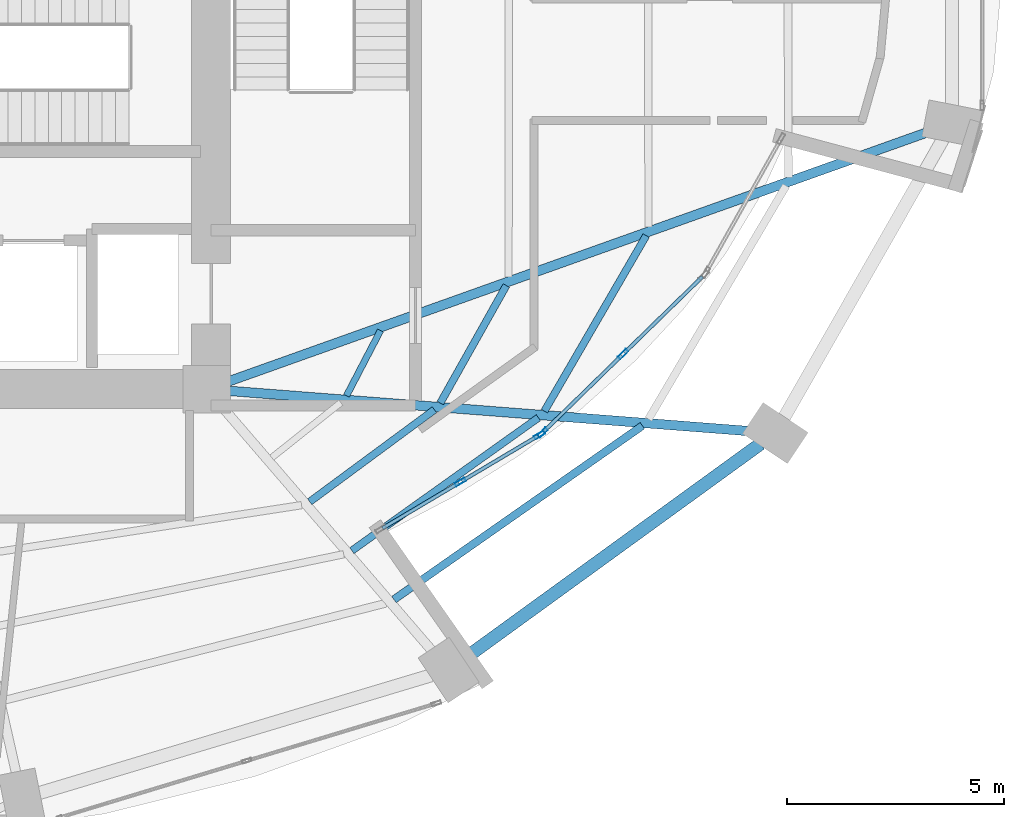
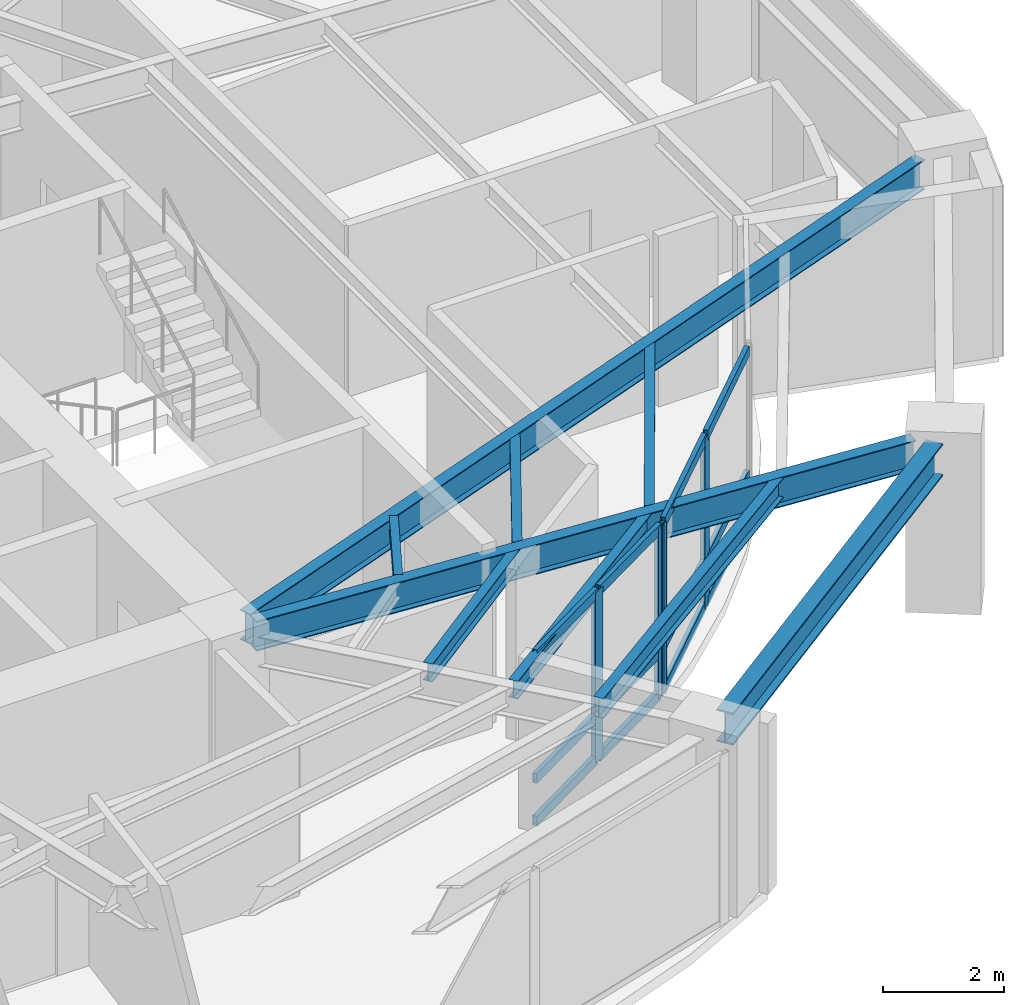
# One storey, part 10 of 24: 16 members, 9 beams, 2 elements without a shape of their own.
"""IFC4 building model written with IfcOpenShell, lengths in metres."""

from ifc_helpers import new_model, si_unit, direction, frame, origin, origin_2d, place, context, subcontext, project, spatial, hollow_rectangle, i_section, extrude, material, layer, layer_set, material_profile, profile_set, type_object, element, aggregate, save


model = new_model("IFC4")

# Units and contexts
model_context = context("Model", 3, precision=1e-05, world=origin(), true_north=direction((0.0, 1.0)))
body_context = subcontext(model_context, "Body", "Model", "MODEL_VIEW")
ifc_project = project(units=[si_unit("LENGTHUNIT", "METRE"), si_unit("AREAUNIT", "SQUARE_METRE"), si_unit("VOLUMEUNIT", "CUBIC_METRE"), si_unit("PLANEANGLEUNIT", "RADIAN"), si_unit("MASSUNIT", "GRAM", prefix="KILO")], contexts=[model_context])

# Site, building, storey
site_placement = place(None, origin())
site = spatial("IfcSite", under=ifc_project, at=site_placement, CompositionType="ELEMENT")
building_placement = place(site_placement, origin())
building = spatial("IfcBuilding", under=site, at=building_placement, Name="Lazwardi Medical Tower", CompositionType="ELEMENT")
storey_placement = place(building_placement, frame((0.0, 0.0, 65.327880859375)))
storey = spatial("IfcBuildingStorey", under=building, at=storey_placement, Name="L16", CompositionType="ELEMENT", Elevation=65.327880859375)

# Beams
ifc_material_1 = material(Name="Steel S355", Category="steel")
ifc_material_profile_1 = material_profile(ifc_material_1, i_section(OverallWidth=0.300048828125, OverallDepth=0.64990234375, WebThickness=0.01611328125, FlangeThickness=0.031005859375, at=origin_2d()), Name="HEB 650")
ifc_profile_set_1 = profile_set([ifc_material_profile_1], Name="Steel S355")
beam_type_1 = type_object("IfcBeamType", Name="BM-RB-Z1", PredefinedType="BEAM", material=ifc_profile_set_1)
beam_1_placement = place(storey_placement, frame((51.52099609375, 14.16259765625, 3.10302734375), z_axis=(0.80939338516, 0.5872668457, 0.0), x_axis=(-0.5872668457, 0.80939338516, 0.0)))
element("IfcBeam", 1, at=beam_1_placement, inside=storey, type_object=beam_type_1, Name="Ring beam RB-02 B02 L16", PredefinedType="BEAM", context=body_context, shape_type="SweptSolid", body=[
    extrude(i_section(OverallWidth=0.300048828125, OverallDepth=0.64990234375, WebThickness=0.01611328125, FlangeThickness=0.031005859375, at=origin_2d()), origin(), (0.0, 0.0, 1.0), 8.47412109375),
])
ifc_material_profile_2 = material_profile(ifc_material_1, i_section(OverallWidth=0.219970703125, OverallDepth=0.60009765625, WebThickness=0.011962890625, FlangeThickness=0.01904296875, at=origin_2d()), Name="IPE 600")
ifc_profile_set_2 = profile_set([ifc_material_profile_2], Name="Steel S355")
beam_type_2 = type_object("IfcBeamType", Name="BM-RG-W1", PredefinedType="BEAM", material=ifc_profile_set_2)
beam_2_placement = place(storey_placement, frame((58.1416015625, 19.430419921875, 3.128173828125), z_axis=(-0.997024241118, 0.077088667283, 0.0), x_axis=(-0.077088667283, -0.997024241118, 0.0)))
element("IfcBeam", 2, at=beam_2_placement, inside=storey, type_object=beam_type_2, Name="Radial girder RG-02 R03 L16", PredefinedType="BEAM", context=body_context, shape_type="SweptSolid", body=[
    extrude(i_section(OverallWidth=0.219970703125, OverallDepth=0.60009765625, WebThickness=0.011962890625, FlangeThickness=0.01904296875, at=origin_2d()), origin(), (0.0, 0.0, 1.0), 12.044189453125),
])
beam_3_placement = place(storey_placement, frame((62.253662109375, 26.33740234375, 3.128173828125), z_axis=(-0.941925080425, -0.335823082688, 0.0), x_axis=(0.335823082688, -0.941925080425, 0.0)))
element("IfcBeam", 3, at=beam_3_placement, inside=storey, type_object=beam_type_2, Name="Radial girder RG-02 R04 L16", PredefinedType="BEAM", context=body_context, shape_type="SweptSolid", body=[
    extrude(i_section(OverallWidth=0.219970703125, OverallDepth=0.60009765625, WebThickness=0.011962890625, FlangeThickness=0.01904296875, at=origin_2d()), origin(), (0.0, 0.0, 1.0), 17.145263671875),
])
ifc_material_profile_3 = material_profile(ifc_material_1, i_section(OverallWidth=0.179931640625, OverallDepth=0.39990234375, WebThickness=0.008544921875, FlangeThickness=0.013427734375, at=origin_2d()), Name="IPE 400")
ifc_profile_set_3 = profile_set([ifc_material_profile_3], Name="Steel S355")
beam_type_3 = type_object("IfcBeamType", Name="BM-SJ-01", PredefinedType="JOIST", material=ifc_profile_set_3)
beam_4_placement = place(storey_placement, frame((49.91796875, 15.543701171875, 3.22802734375), z_axis=(0.81942522483, 0.573186096231, 0.0), x_axis=(-0.573186096231, 0.81942522483, 0.0)))
element("IfcBeam", 4, at=beam_4_placement, inside=storey, type_object=beam_type_3, Name="Secondary joist SJ-01 R1 B02 L16", PredefinedType="JOIST", context=body_context, shape_type="SweptSolid", body=[
    extrude(i_section(OverallWidth=0.179931640625, OverallDepth=0.39990234375, WebThickness=0.008544921875, FlangeThickness=0.013427734375, at=origin_2d()), origin(), (0.0, 0.0, 1.0), 6.999755859375),
])
ifc_material_profile_4 = material_profile(ifc_material_1, i_section(OverallWidth=0.169921875, OverallDepth=0.360107421875, WebThickness=0.008056640625, FlangeThickness=0.0126953125, at=origin_2d()), Name="IPE 360")
ifc_profile_set_4 = profile_set([ifc_material_profile_4], Name="Steel S355")
beam_type_4 = type_object("IfcBeamType", Name="BM-SJ-02", PredefinedType="JOIST", material=ifc_profile_set_4)
beam_5_placement = place(storey_placement, frame((48.94677734375, 16.672119140625, 3.248046875), z_axis=(0.814341377136, 0.580386183058, 0.0), x_axis=(-0.580386183058, 0.814341377136, 0.0)))
element("IfcBeam", 5, at=beam_5_placement, inside=storey, type_object=beam_type_4, Name="Secondary joist SJ-02 R2 B02 L16", PredefinedType="JOIST", context=body_context, shape_type="SweptSolid", body=[
    extrude(i_section(OverallWidth=0.169921875, OverallDepth=0.360107421875, WebThickness=0.008056640625, FlangeThickness=0.0126953125, at=origin_2d()), origin(), (0.0, 0.0, 1.0), 5.28759765625),
])
beam_6_placement = place(storey_placement, frame((53.39111328125, 19.892578125, 3.248046875), z_axis=(0.501798442848, 0.86498457949, 0.0), x_axis=(-0.86498457949, 0.501798442848, 0.0)))
element("IfcBeam", 6, at=beam_6_placement, inside=storey, type_object=beam_type_4, Name="Secondary joist SJ-02 R2 B03 L16", PredefinedType="JOIST", context=body_context, shape_type="SweptSolid", body=[
    extrude(i_section(OverallWidth=0.169921875, OverallDepth=0.360107421875, WebThickness=0.008056640625, FlangeThickness=0.0126953125, at=origin_2d()), origin(), (0.0, 0.0, 1.0), 4.683349609375),
])
beam_7_placement = place(storey_placement, frame((47.974853515625, 17.80126953125, 3.248046875), z_axis=(0.804580292353, 0.593843879448, 0.0), x_axis=(-0.593843879448, 0.804580292353, 0.0)))
element("IfcBeam", 7, at=beam_7_placement, inside=storey, type_object=beam_type_4, Name="Secondary joist SJ-02 R3 B02 L16", PredefinedType="JOIST", context=body_context, shape_type="SweptSolid", body=[
    extrude(i_section(OverallWidth=0.169921875, OverallDepth=0.360107421875, WebThickness=0.008056640625, FlangeThickness=0.0126953125, at=origin_2d()), origin(), (0.0, 0.0, 1.0), 3.576416015625),
])
beam_8_placement = place(storey_placement, frame((50.988037109375, 20.0791015625, 3.248046875), z_axis=(0.489974339037, 0.87173685656, 0.0), x_axis=(-0.87173685656, 0.489974339037, 0.0)))
element("IfcBeam", 8, at=beam_8_placement, inside=storey, type_object=beam_type_4, Name="Secondary joist SJ-02 R3 B03 L16", PredefinedType="JOIST", context=body_context, shape_type="SweptSolid", body=[
    extrude(i_section(OverallWidth=0.169921875, OverallDepth=0.360107421875, WebThickness=0.008056640625, FlangeThickness=0.0126953125, at=origin_2d()), origin(), (0.0, 0.0, 1.0), 3.111328125),
])
ifc_material_profile_5 = material_profile(ifc_material_1, i_section(OverallWidth=0.14990234375, OverallDepth=0.300048828125, WebThickness=0.007080078125, FlangeThickness=0.0107421875, at=origin_2d()), Name="IPE 300")
ifc_profile_set_5 = profile_set([ifc_material_profile_5], Name="Steel S355")
beam_type_5 = type_object("IfcBeamType", Name="BM-SJ-03", PredefinedType="JOIST", material=ifc_profile_set_5)
beam_9_placement = place(storey_placement, frame((48.82373046875, 20.247802734375, 3.278076171875), z_axis=(0.462162985948, 0.88679500135, 0.0), x_axis=(-0.88679500135, 0.462162985948, 0.0)))
element("IfcBeam", 9, at=beam_9_placement, inside=storey, type_object=beam_type_5, Name="Secondary joist SJ-03 R4 B03 L16", PredefinedType="JOIST", context=body_context, shape_type="SweptSolid", body=[
    extrude(i_section(OverallWidth=0.14990234375, OverallDepth=0.300048828125, WebThickness=0.007080078125, FlangeThickness=0.0107421875, at=origin_2d()), origin(), (0.0, 0.0, 1.0), 1.69775390625),
])

# Curtain wall, members
ifc_material_2 = material(Name="Anodised bronze aluminium and solar control glazing", Category="aluminium")
ifc_layer = layer(ifc_material_2, 0.239990234375)
ifc_layer_set = layer_set([ifc_layer], Name="Anodised bronze aluminium and solar control glazing")
curtain_wall_type = type_object("IfcCurtainWallType", Name="CW-SYS-05", PredefinedType="NOTDEFINED", material=ifc_layer_set)
curtain_wall_1_placement = place(storey_placement, origin())
curtain_wall_1 = element("IfcCurtainWall", 10, at=curtain_wall_1_placement, inside=storey, type_object=curtain_wall_type, Name="L16 Unitised bronze curtain wall CW-05", PredefinedType="NOTDEFINED")
ifc_material_3 = material(Name="Anodised bronze aluminium", Category="aluminium")
ifc_material_profile_6 = material_profile(ifc_material_3, hollow_rectangle(XDim=0.0849609375, YDim=0.260009765625, WallThickness=0.0048828125, at=origin_2d()), Name="ALU-MULLION 260x85x5")
ifc_profile_set_6 = profile_set([ifc_material_profile_6], Name="Anodised bronze aluminium")
member_type_1 = type_object("IfcMemberType", Name="CW-MUL-02", PredefinedType="MULLION", material=ifc_profile_set_6)
member_1_placement = place(storey_placement, frame((51.450439453125, 18.255615234375, 0.0), z_axis=(0.0, 0.0, 1.0), x_axis=(-0.510680174917, 0.859770759532, 0.0)))
member_1 = element("IfcMember", 11, at=member_1_placement, type_object=member_type_1, Name="CW-05 mullion 2", PredefinedType="MULLION", context=body_context, shape_type="SweptSolid", body=[
    extrude(hollow_rectangle(XDim=0.0849609375, YDim=0.260009765625, WallThickness=0.0048828125, at=origin_2d()), origin(), (0.0, 0.0, 1.0), 3.42822265625),
])
member_2_placement = place(storey_placement, frame((53.281982421875, 19.343505859375, 0.0), z_axis=(0.0, 0.0, 1.0), x_axis=(-0.510680174917, 0.859770759532, 0.0)))
member_2 = element("IfcMember", 12, at=member_2_placement, type_object=member_type_1, Name="CW-05 mullion 3", PredefinedType="MULLION", context=body_context, shape_type="SweptSolid", body=[
    extrude(hollow_rectangle(XDim=0.0849609375, YDim=0.260009765625, WallThickness=0.0048828125, at=origin_2d()), origin(), (0.0, 0.0, 1.0), 3.42822265625),
])

curtain_wall_2_placement = place(storey_placement, origin())
curtain_wall_2 = element("IfcCurtainWall", 13, at=curtain_wall_2_placement, inside=storey, type_object=curtain_wall_type, Name="L16 Unitised bronze curtain wall CW-05", PredefinedType="NOTDEFINED")
member_3_placement = place(storey_placement, frame((53.348876953125, 19.39501953125, 0.0), z_axis=(0.0, 0.0, 1.0), x_axis=(-0.698402153121, 0.715705548753, 0.0)))
member_3 = element("IfcMember", 14, at=member_3_placement, type_object=member_type_1, Name="CW-05 mullion 1", PredefinedType="MULLION", context=body_context, shape_type="SweptSolid", body=[
    extrude(hollow_rectangle(XDim=0.0849609375, YDim=0.260009765625, WallThickness=0.0048828125, at=origin_2d()), origin(), (0.0, 0.0, 1.0), 3.42822265625),
])
member_4_placement = place(storey_placement, frame((55.208740234375, 21.2099609375, 0.0), z_axis=(0.0, 0.0, 1.0), x_axis=(-0.698402153121, 0.715705548753, 0.0)))
member_4 = element("IfcMember", 15, at=member_4_placement, type_object=member_type_1, Name="CW-05 mullion 2", PredefinedType="MULLION", context=body_context, shape_type="SweptSolid", body=[
    extrude(hollow_rectangle(XDim=0.0849609375, YDim=0.260009765625, WallThickness=0.0048828125, at=origin_2d()), origin(), (0.0, 0.0, 1.0), 3.42822265625),
])

# Member
ifc_material_profile_7 = material_profile(ifc_material_3, hollow_rectangle(XDim=0.0849609375, YDim=0.199951171875, WallThickness=0.00439453125, at=origin_2d()), Name="ALU-TRANSOM 200x85x4.5")
ifc_profile_set_7 = profile_set([ifc_material_profile_7], Name="Anodised bronze aluminium")
member_type_2 = type_object("IfcMemberType", Name="CW-TRN-02", PredefinedType="USERDEFINED", material=ifc_profile_set_7)
member_5_placement = place(storey_placement, frame((49.6552734375, 17.189453125, 0.042724609375), z_axis=(0.859790874329, 0.510646308535, 0.0), x_axis=(-0.510646308535, 0.859790874329, 0.0)))
member_5 = element("IfcMember", 16, at=member_5_placement, type_object=member_type_2, Name="CW-05 transom 1.1", ObjectType="TRANSOM", PredefinedType="USERDEFINED", context=body_context, shape_type="SweptSolid", body=[
    extrude(hollow_rectangle(XDim=0.0849609375, YDim=0.199951171875, WallThickness=0.00439453125, at=origin_2d()), origin(), (0.0, 0.0, 1.0), 2.04541015625),
])

member_6_placement = place(storey_placement, frame((49.6552734375, 17.189453125, 0.900146484375), z_axis=(0.859790874329, 0.510646308535, 0.0), x_axis=(-0.510646308535, 0.859790874329, 0.0)))
member_6 = element("IfcMember", 17, at=member_6_placement, type_object=member_type_2, Name="CW-05 transom 1.2", ObjectType="TRANSOM", PredefinedType="USERDEFINED", context=body_context, shape_type="SweptSolid", body=[
    extrude(hollow_rectangle(XDim=0.0849609375, YDim=0.199951171875, WallThickness=0.00439453125, at=origin_2d()), origin(), (0.0, 0.0, 1.0), 2.04541015625),
])

member_7_placement = place(storey_placement, frame((49.6552734375, 17.189453125, 3.385498046875), z_axis=(0.859790874329, 0.510646308535, 0.0), x_axis=(-0.510646308535, 0.859790874329, 0.0)))
member_7 = element("IfcMember", 18, at=member_7_placement, type_object=member_type_2, Name="CW-05 transom 1.3", ObjectType="TRANSOM", PredefinedType="USERDEFINED", context=body_context, shape_type="SweptSolid", body=[
    extrude(hollow_rectangle(XDim=0.0849609375, YDim=0.199951171875, WallThickness=0.00439453125, at=origin_2d()), origin(), (0.0, 0.0, 1.0), 2.04541015625),
])

member_8_placement = place(storey_placement, frame((51.487060546875, 18.27734375, 0.042724609375), z_axis=(0.859759743788, 0.510698720345, 0.0), x_axis=(-0.510698720345, 0.859759743788, 0.0)))
member_8 = element("IfcMember", 19, at=member_8_placement, type_object=member_type_2, Name="CW-05 transom 2.1", ObjectType="TRANSOM", PredefinedType="USERDEFINED", context=body_context, shape_type="SweptSolid", body=[
    extrude(hollow_rectangle(XDim=0.0849609375, YDim=0.199951171875, WallThickness=0.00439453125, at=origin_2d()), origin(), (0.0, 0.0, 1.0), 2.045166015625),
])

member_9_placement = place(storey_placement, frame((51.487060546875, 18.27734375, 0.900146484375), z_axis=(0.859759743788, 0.510698720345, 0.0), x_axis=(-0.510698720345, 0.859759743788, 0.0)))
member_9 = element("IfcMember", 20, at=member_9_placement, type_object=member_type_2, Name="CW-05 transom 2.2", ObjectType="TRANSOM", PredefinedType="USERDEFINED", context=body_context, shape_type="SweptSolid", body=[
    extrude(hollow_rectangle(XDim=0.0849609375, YDim=0.199951171875, WallThickness=0.00439453125, at=origin_2d()), origin(), (0.0, 0.0, 1.0), 2.045166015625),
])

member_10_placement = place(storey_placement, frame((51.487060546875, 18.27734375, 3.385498046875), z_axis=(0.859759743788, 0.510698720345, 0.0), x_axis=(-0.510698720345, 0.859759743788, 0.0)))
member_10 = element("IfcMember", 21, at=member_10_placement, type_object=member_type_2, Name="CW-05 transom 2.3", ObjectType="TRANSOM", PredefinedType="USERDEFINED", context=body_context, shape_type="SweptSolid", body=[
    extrude(hollow_rectangle(XDim=0.0849609375, YDim=0.199951171875, WallThickness=0.00439453125, at=origin_2d()), origin(), (0.0, 0.0, 1.0), 2.045166015625),
])

aggregate(curtain_wall_1, [member_1, member_2, member_5, member_6, member_7, member_8, member_9, member_10])

member_11_placement = place(storey_placement, frame((53.37939453125, 19.424560546875, 0.042724609375), z_axis=(0.715650495532, 0.698458565875, 0.0), x_axis=(-0.698458565875, 0.715650495532, 0.0)))
member_11 = element("IfcMember", 22, at=member_11_placement, type_object=member_type_2, Name="CW-05 transom 1.1", ObjectType="TRANSOM", PredefinedType="USERDEFINED", context=body_context, shape_type="SweptSolid", body=[
    extrude(hollow_rectangle(XDim=0.0849609375, YDim=0.199951171875, WallThickness=0.00439453125, at=origin_2d()), origin(), (0.0, 0.0, 1.0), 2.513671875),
])

member_12_placement = place(storey_placement, frame((53.37939453125, 19.424560546875, 0.900146484375), z_axis=(0.715650495532, 0.698458565875, 0.0), x_axis=(-0.698458565875, 0.715650495532, 0.0)))
member_12 = element("IfcMember", 23, at=member_12_placement, type_object=member_type_2, Name="CW-05 transom 1.2", ObjectType="TRANSOM", PredefinedType="USERDEFINED", context=body_context, shape_type="SweptSolid", body=[
    extrude(hollow_rectangle(XDim=0.0849609375, YDim=0.199951171875, WallThickness=0.00439453125, at=origin_2d()), origin(), (0.0, 0.0, 1.0), 2.513671875),
])

member_13_placement = place(storey_placement, frame((53.37939453125, 19.424560546875, 3.385498046875), z_axis=(0.715650495532, 0.698458565875, 0.0), x_axis=(-0.698458565875, 0.715650495532, 0.0)))
member_13 = element("IfcMember", 24, at=member_13_placement, type_object=member_type_2, Name="CW-05 transom 1.3", ObjectType="TRANSOM", PredefinedType="USERDEFINED", context=body_context, shape_type="SweptSolid", body=[
    extrude(hollow_rectangle(XDim=0.0849609375, YDim=0.199951171875, WallThickness=0.00439453125, at=origin_2d()), origin(), (0.0, 0.0, 1.0), 2.513671875),
])

member_14_placement = place(storey_placement, frame((55.2392578125, 21.239501953125, 0.042724609375), z_axis=(0.715650495532, 0.698458565875, 0.0), x_axis=(-0.698458565875, 0.715650495532, 0.0)))
member_14 = element("IfcMember", 25, at=member_14_placement, type_object=member_type_2, Name="CW-05 transom 2.1", ObjectType="TRANSOM", PredefinedType="USERDEFINED", context=body_context, shape_type="SweptSolid", body=[
    extrude(hollow_rectangle(XDim=0.0849609375, YDim=0.199951171875, WallThickness=0.00439453125, at=origin_2d()), origin(), (0.0, 0.0, 1.0), 2.513671875),
])

member_15_placement = place(storey_placement, frame((55.2392578125, 21.239501953125, 0.900146484375), z_axis=(0.715650495532, 0.698458565875, 0.0), x_axis=(-0.698458565875, 0.715650495532, 0.0)))
member_15 = element("IfcMember", 26, at=member_15_placement, type_object=member_type_2, Name="CW-05 transom 2.2", ObjectType="TRANSOM", PredefinedType="USERDEFINED", context=body_context, shape_type="SweptSolid", body=[
    extrude(hollow_rectangle(XDim=0.0849609375, YDim=0.199951171875, WallThickness=0.00439453125, at=origin_2d()), origin(), (0.0, 0.0, 1.0), 2.513671875),
])

member_16_placement = place(storey_placement, frame((55.2392578125, 21.239501953125, 3.385498046875), z_axis=(0.715650495532, 0.698458565875, 0.0), x_axis=(-0.698458565875, 0.715650495532, 0.0)))
member_16 = element("IfcMember", 27, at=member_16_placement, type_object=member_type_2, Name="CW-05 transom 2.3", ObjectType="TRANSOM", PredefinedType="USERDEFINED", context=body_context, shape_type="SweptSolid", body=[
    extrude(hollow_rectangle(XDim=0.0849609375, YDim=0.199951171875, WallThickness=0.00439453125, at=origin_2d()), origin(), (0.0, 0.0, 1.0), 2.513671875),
])

aggregate(curtain_wall_2, [member_3, member_4, member_11, member_12, member_13, member_14, member_15, member_16])

save(model, "model.ifc")
